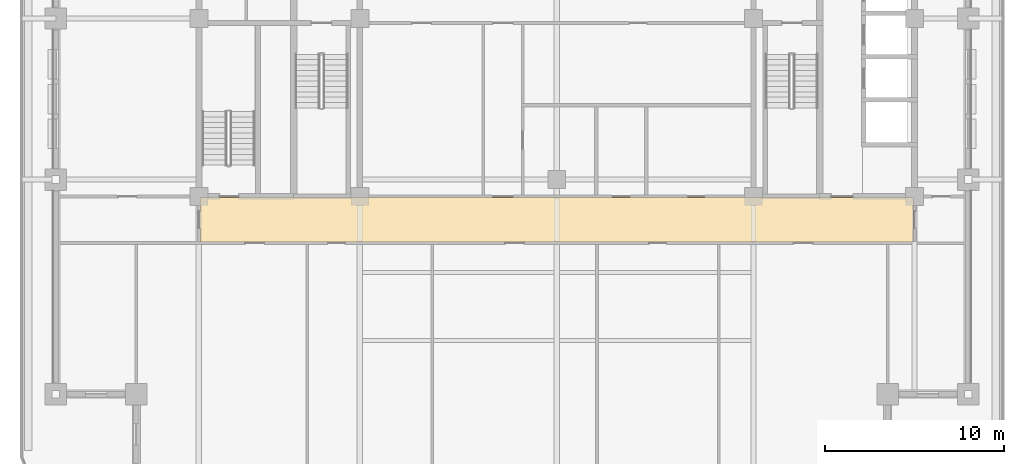
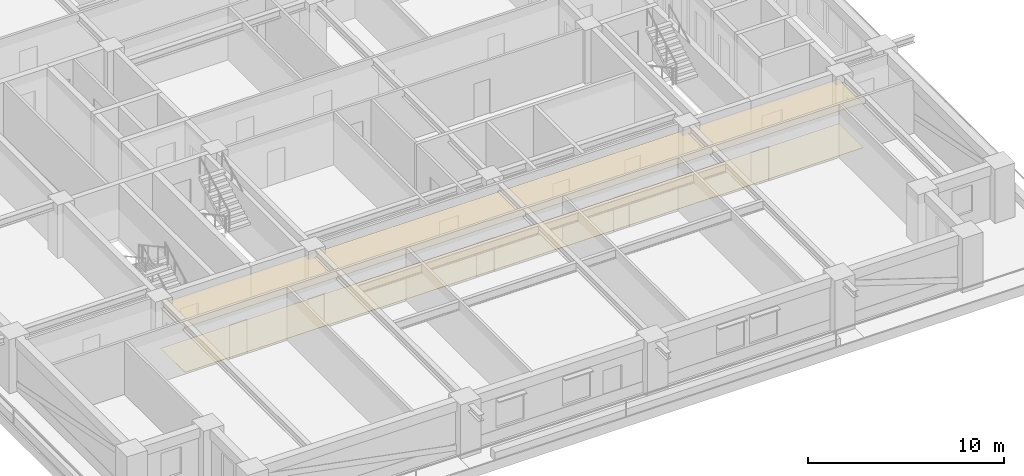
# One storey, part 12 of 16: 2 coverings.
"""IFC4 building model written with IfcOpenShell, lengths in metres."""

from ifc_helpers import new_model, si_unit, direction, frame, origin, place, context, subcontext, project, spatial, polyline, outline, extrude, material, layer, layer_set, type_object, element, save


model = new_model("IFC4")

# Units and contexts
model_context = context("Model", 3, precision=1e-05, world=origin(), true_north=direction((0.0, 1.0)))
body_context = subcontext(model_context, "Body", "Model", "MODEL_VIEW")
ifc_project = project(units=[si_unit("LENGTHUNIT", "METRE"), si_unit("AREAUNIT", "SQUARE_METRE"), si_unit("VOLUMEUNIT", "CUBIC_METRE"), si_unit("PLANEANGLEUNIT", "RADIAN"), si_unit("MASSUNIT", "GRAM", prefix="KILO")], contexts=[model_context])

# Site, building, storey
site_placement = place(None, origin())
site = spatial("IfcSite", under=ifc_project, at=site_placement, CompositionType="ELEMENT")
building_placement = place(site_placement, origin())
building = spatial("IfcBuilding", under=site, at=building_placement, Name="Zulmaris Gate Convention Tower", CompositionType="ELEMENT")
storey_placement = place(building_placement, frame((0.0, 0.0, 124.919921875)))
storey = spatial("IfcBuildingStorey", under=building, at=storey_placement, Name="L31", CompositionType="ELEMENT", Elevation=124.919921875)

# Coverings
ifc_material_1 = material(Name="Mineral Fibre Acoustic Ceiling Tile")
ifc_layer_1 = layer(ifc_material_1, 0.02001953125, Name="Mineral Fibre Acoustic Ceiling Tile")
ifc_layer_set_1 = layer_set([ifc_layer_1], Name="Mineral Fibre Acoustic Ceiling Tile")
covering_type_1 = type_object("IfcCoveringType", Name="CLG-ACOUSTIC-600", PredefinedType="CEILING", material=ifc_layer_set_1)
covering_1_placement = place(storey_placement, frame((0.0, 0.0, 2.77783203125)))
element("IfcCovering", 1, at=covering_1_placement, inside=storey, type_object=covering_type_1, Name="CLG-L31-R29", PredefinedType="CEILING", context=body_context, shape_type="SweptSolid", body=[
    extrude(outline(polyline([(-19.93994140625, -12.489990234375), (19.93994140625, -12.489990234375), (19.93994140625, -10.010009765625), (-19.93994140625, -10.010009765625), (-19.93994140625, -12.489990234375)])), origin(), (0.0, 0.0, 1.0), 0.02001953125),
])
ifc_material_2 = material(Name="Woven Acoustic Wool Carpet Tile")
ifc_layer_2 = layer(ifc_material_2, 0.02001953125, Name="Woven Acoustic Wool Carpet Tile")
ifc_layer_set_2 = layer_set([ifc_layer_2], Name="Woven Acoustic Wool Carpet Tile")
covering_type_2 = type_object("IfcCoveringType", Name="FLR-CARPET-12", PredefinedType="FLOORING", material=ifc_layer_set_2)
covering_2_placement = place(storey_placement, origin())
element("IfcCovering", 2, at=covering_2_placement, inside=storey, type_object=covering_type_2, Name="FLR-L31-R29", PredefinedType="FLOORING", context=body_context, shape_type="SweptSolid", body=[
    extrude(outline(polyline([(-19.93994140625, -12.489990234375), (19.93994140625, -12.489990234375), (19.93994140625, -10.010009765625), (-19.93994140625, -10.010009765625), (-19.93994140625, -12.489990234375)])), origin(), (0.0, 0.0, 1.0), 0.02001953125),
])

save(model, "model.ifc")
